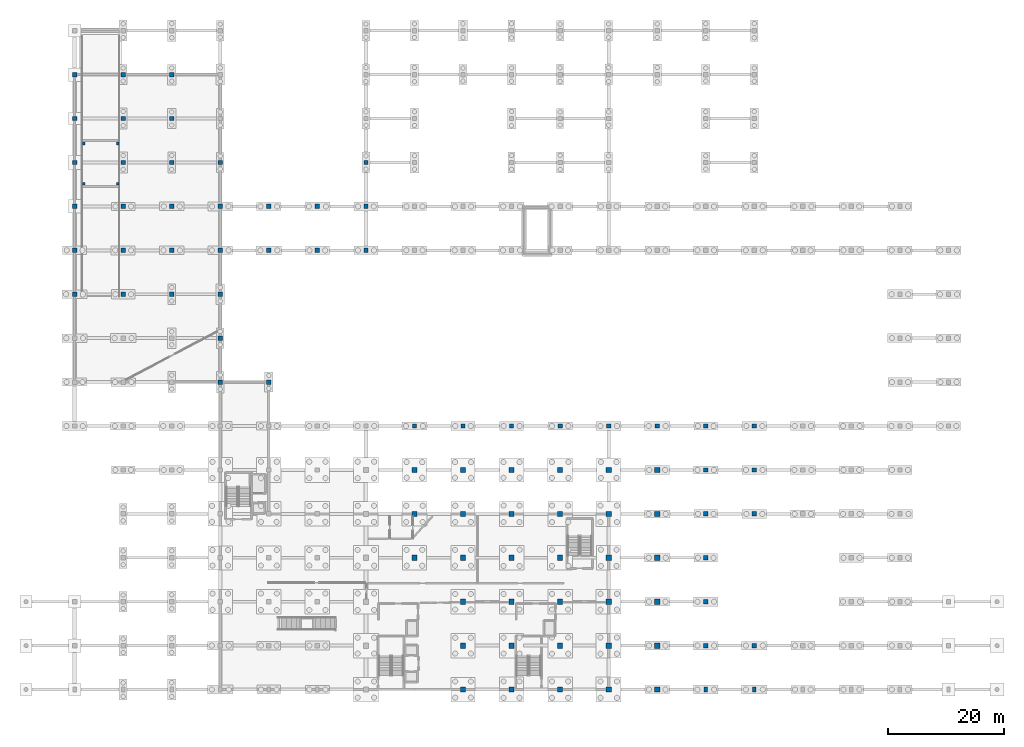
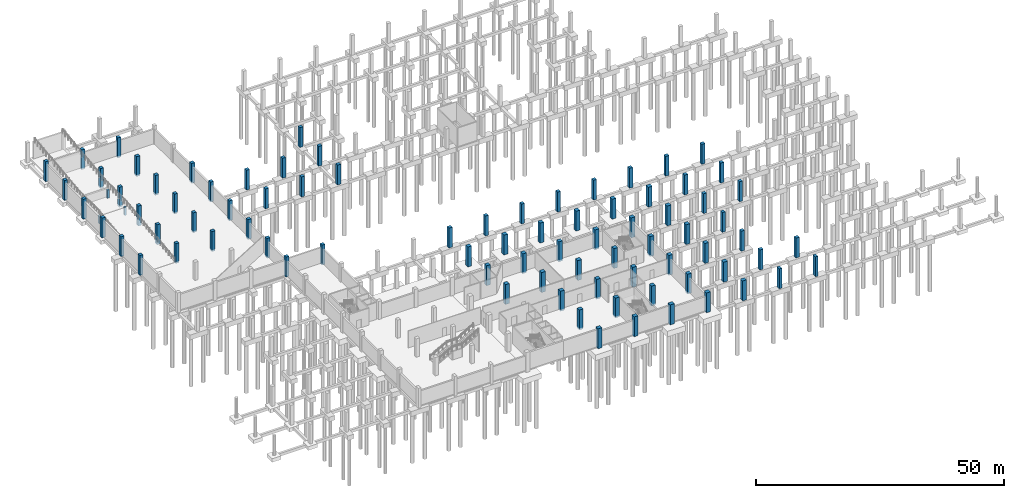
# One storey, part 10 of 22: 87 columns.
"""IFC4 building model written with IfcOpenShell, lengths in metres."""

from ifc_helpers import new_model, si_unit, direction, frame, origin, origin_2d, place, context, subcontext, project, spatial, rectangle, extrude, material, material_profile, profile_set, type_object, element, save


model = new_model("IFC4")

# Units and contexts
model_context = context("Model", 3, precision=1e-05, world=origin(), true_north=direction((0.0, 1.0)))
body_context = subcontext(model_context, "Body", "Model", "MODEL_VIEW")
ifc_project = project(units=[si_unit("LENGTHUNIT", "METRE"), si_unit("AREAUNIT", "SQUARE_METRE"), si_unit("VOLUMEUNIT", "CUBIC_METRE"), si_unit("PLANEANGLEUNIT", "RADIAN"), si_unit("MASSUNIT", "GRAM", prefix="KILO")], contexts=[model_context])

# Site, building, storey
site_placement = place(None, origin())
site = spatial("IfcSite", under=ifc_project, at=site_placement, CompositionType="ELEMENT")
building_placement = place(site_placement, origin())
building = spatial("IfcBuilding", under=site, at=building_placement, Name="Zuvorla Pavilion Media Centre", CompositionType="ELEMENT")
storey_placement = place(building_placement, frame((0.0, 0.0, -4.5)))
storey = spatial("IfcBuildingStorey", under=building, at=storey_placement, Name="B01", CompositionType="ELEMENT", Elevation=-4.5)

# Columns
ifc_material = material(Name="Concrete C40/50", Category="concrete")
ifc_material_profile_1 = material_profile(ifc_material, rectangle(XDim=0.60009765625, YDim=0.89990234375, at=origin_2d()), Name="RC 600x900")
ifc_profile_set_1 = profile_set([ifc_material_profile_1], Name="Concrete C40/50")
column_type_1 = type_object("IfcColumnType", Name="COL-PIL600", PredefinedType="PILASTER", material=ifc_profile_set_1)
for number, where, z_axis, x_axis, name in (
    (1, (125.60009765625, 6.0, -0.39990234375), (0.0, 0.0, 1.0), (1.0, 0.0, 0.0), "B01 column C07 70"),
    (2, (134.0, 6.0, -0.39990234375), (0.0, 0.0, 1.0), (1.0, 0.0, 0.0), "B01 column C07 75"),
):
    element("IfcColumn", number, at=place(storey_placement, frame(where, z_axis=z_axis, x_axis=x_axis)), inside=storey, type_object=column_type_1, Name=name, PredefinedType="PILASTER", context=body_context, shape_type="SweptSolid", body=[
        extrude(rectangle(XDim=0.60009765625, YDim=0.89990234375, at=origin_2d()), origin(), (0.0, 0.0, 1.0), 4.89990234375),
    ])
ifc_material_profile_2 = material_profile(ifc_material, rectangle(XDim=0.449951171875, YDim=0.449951171875, at=origin_2d()), Name="RC 450x450")
ifc_profile_set_2 = profile_set([ifc_material_profile_2], Name="Concrete C40/50")
column_type_2 = type_object("IfcColumnType", Name="COL-RC450", PredefinedType="COLUMN", material=ifc_profile_set_2)
for number, where, z_axis, x_axis, name in (
    (3, (17.949951171875, 93.52490234375, 0.0), (0.0, 0.0, 1.0), (1.0, 0.0, 0.0), "Ramp mid-landing column"),
    (4, (17.949951171875, 100.47509765625, 0.0), (0.0, 0.0, 1.0), (1.0, 0.0, 0.0), "Ramp mid-landing column"),
    (5, (23.85009765625, 93.52490234375, 0.0), (0.0, 0.0, 1.0), (1.0, 0.0, 0.0), "Ramp mid-landing column"),
    (6, (23.85009765625, 100.47509765625, 0.0), (0.0, 0.0, 1.0), (1.0, 0.0, 0.0), "Ramp mid-landing column"),
):
    element("IfcColumn", number, at=place(storey_placement, frame(where, z_axis=z_axis, x_axis=x_axis)), inside=storey, type_object=column_type_2, Name=name, PredefinedType="COLUMN", context=body_context, shape_type="SweptSolid", body=[
        extrude(rectangle(XDim=0.449951171875, YDim=0.449951171875, at=origin_2d()), origin(), (0.0, 0.0, 1.0), 1.985107421875),
    ])
ifc_material_profile_3 = material_profile(ifc_material, rectangle(XDim=0.75, YDim=0.75, at=origin_2d()), Name="RC 750x750")
ifc_profile_set_3 = profile_set([ifc_material_profile_3], Name="Concrete C40/50")
column_type_3 = type_object("IfcColumnType", Name="COL-RC750", PredefinedType="COLUMN", material=ifc_profile_set_3)
for number, where, z_axis, x_axis, name in (
    (7, (125.60009765625, 13.60009765625, -0.39990234375), (0.0, 0.0, 1.0), (1.0, 0.0, 0.0), "B01 column C02 168"),
    (8, (134.0, 13.60009765625, -0.39990234375), (0.0, 0.0, 1.0), (1.0, 0.0, 0.0), "B01 column C02 173"),
    (9, (125.60009765625, 21.199951171875, -0.39990234375), (0.0, 0.0, 1.0), (1.0, 0.0, 0.0), "B01 column C02 269"),
    (10, (125.60009765625, 28.800048828125, -0.39990234375), (0.0, 0.0, 1.0), (1.0, 0.0, 0.0), "B01 column C02 364"),
    (11, (125.60009765625, 36.39990234375, -0.39990234375), (0.0, 0.0, 1.0), (1.0, 0.0, 0.0), "B01 column C02 454"),
    (12, (134.0, 36.39990234375, -0.39990234375), (0.0, 0.0, 1.0), (1.0, 0.0, 0.0), "B01 column C02 459"),
    (13, (125.60009765625, 44.0, -0.39990234375), (0.0, 0.0, 1.0), (1.0, 0.0, 0.0), "B01 column C02 548"),
    (14, (134.0, 44.0, -0.39990234375), (0.0, 0.0, 1.0), (1.0, 0.0, 0.0), "B01 column C02 553"),
    (15, (75.199951171875, 51.60009765625, -0.39990234375), (0.0, 0.0, 1.0), (1.0, 0.0, 0.0), "B01 column C02 608"),
    (16, (83.60009765625, 51.60009765625, -0.39990234375), (0.0, 0.0, 1.0), (1.0, 0.0, 0.0), "B01 column C02 613"),
    (17, (92.0, 51.60009765625, -0.39990234375), (0.0, 0.0, 1.0), (1.0, 0.0, 0.0), "B01 column C02 618"),
    (18, (100.39990234375, 51.60009765625, -0.39990234375), (0.0, 0.0, 1.0), (1.0, 0.0, 0.0), "B01 column C02 623"),
    (19, (108.800048828125, 51.60009765625, -0.39990234375), (0.0, 0.0, 1.0), (1.0, 0.0, 0.0), "B01 column C02 628"),
    (20, (117.199951171875, 51.60009765625, -0.39990234375), (0.0, 0.0, 1.0), (1.0, 0.0, 0.0), "B01 column C02 633"),
    (21, (125.60009765625, 51.60009765625, -0.39990234375), (0.0, 0.0, 1.0), (1.0, 0.0, 0.0), "B01 column C02 638"),
    (22, (134.0, 51.60009765625, -0.39990234375), (0.0, 0.0, 1.0), (1.0, 0.0, 0.0), "B01 column C02 643"),
    (23, (41.60009765625, 59.199951171875, -0.39990234375), (0.0, 0.0, 1.0), (1.0, 0.0, 0.0), "B01 column C02 680"),
    (24, (50.0, 59.199951171875, -0.39990234375), (0.0, 0.0, 1.0), (1.0, 0.0, 0.0), "B01 column C02 682"),
    (25, (41.60009765625, 66.800048828125, -0.39990234375), (0.0, 0.0, 1.0), (1.0, 0.0, 0.0), "B01 column C02 706"),
    (26, (16.39990234375, 74.39990234375, -0.39990234375), (0.0, 0.0, 1.0), (1.0, 0.0, 0.0), "B01 column C02 718"),
    (27, (24.800048828125, 74.39990234375, -0.39990234375), (0.0, 0.0, 1.0), (1.0, 0.0, 0.0), "B01 column C02 723"),
    (28, (33.199951171875, 74.39990234375, -0.39990234375), (0.0, 0.0, 1.0), (1.0, 0.0, 0.0), "B01 column C02 728"),
    (29, (41.60009765625, 74.39990234375, -0.39990234375), (0.0, 0.0, 1.0), (1.0, 0.0, 0.0), "B01 column C02 730"),
    (30, (16.39990234375, 82.0, -0.39990234375), (0.0, 0.0, 1.0), (1.0, 0.0, 0.0), "B01 column C02 742"),
    (31, (24.800048828125, 82.0, -0.39990234375), (0.0, 0.0, 1.0), (1.0, 0.0, 0.0), "B01 column C02 747"),
    (32, (33.199951171875, 82.0, -0.39990234375), (0.0, 0.0, 1.0), (1.0, 0.0, 0.0), "B01 column C02 752"),
    (33, (41.60009765625, 82.0, -0.39990234375), (0.0, 0.0, 1.0), (1.0, 0.0, 0.0), "B01 column C02 757"),
    (34, (50.0, 82.0, -0.39990234375), (0.0, 0.0, 1.0), (1.0, 0.0, 0.0), "B01 column C02 762"),
    (35, (58.39990234375, 82.0, -0.39990234375), (0.0, 0.0, 1.0), (1.0, 0.0, 0.0), "B01 column C02 767"),
    (36, (66.800048828125, 82.0, -0.39990234375), (0.0, 0.0, 1.0), (1.0, 0.0, 0.0), "B01 column C02 772"),
    (37, (16.39990234375, 89.60009765625, -0.39990234375), (0.0, 0.0, 1.0), (1.0, 0.0, 0.0), "B01 column C02 837"),
    (38, (24.800048828125, 89.60009765625, -0.39990234375), (0.0, 0.0, 1.0), (1.0, 0.0, 0.0), "B01 column C02 839"),
    (39, (33.199951171875, 89.60009765625, -0.39990234375), (0.0, 0.0, 1.0), (1.0, 0.0, 0.0), "B01 column C02 844"),
    (40, (41.60009765625, 89.60009765625, -0.39990234375), (0.0, 0.0, 1.0), (1.0, 0.0, 0.0), "B01 column C02 849"),
    (41, (50.0, 89.60009765625, -0.39990234375), (0.0, 0.0, 1.0), (1.0, 0.0, 0.0), "B01 column C02 854"),
    (42, (58.39990234375, 89.60009765625, -0.39990234375), (0.0, 0.0, 1.0), (1.0, 0.0, 0.0), "B01 column C02 859"),
    (43, (66.800048828125, 89.60009765625, -0.39990234375), (0.0, 0.0, 1.0), (1.0, 0.0, 0.0), "B01 column C02 864"),
    (44, (16.39990234375, 97.199951171875, -0.39990234375), (0.0, 0.0, 1.0), (1.0, 0.0, 0.0), "B01 column C02 924"),
    (45, (24.800048828125, 97.199951171875, -0.39990234375), (0.0, 0.0, 1.0), (1.0, 0.0, 0.0), "B01 column C02 926"),
    (46, (33.199951171875, 97.199951171875, -0.39990234375), (0.0, 0.0, 1.0), (1.0, 0.0, 0.0), "B01 column C02 928"),
    (47, (41.60009765625, 97.199951171875, -0.39990234375), (0.0, 0.0, 1.0), (1.0, 0.0, 0.0), "B01 column C02 930"),
    (48, (66.800048828125, 97.199951171875, -0.39990234375), (0.0, 0.0, 1.0), (1.0, 0.0, 0.0), "B01 column C02 932"),
    (49, (16.39990234375, 104.800048828125, -0.39990234375), (0.0, 0.0, 1.0), (1.0, 0.0, 0.0), "B01 column C02 953"),
    (50, (24.800048828125, 104.800048828125, -0.39990234375), (0.0, 0.0, 1.0), (1.0, 0.0, 0.0), "B01 column C02 955"),
    (51, (33.199951171875, 104.800048828125, -0.39990234375), (0.0, 0.0, 1.0), (1.0, 0.0, 0.0), "B01 column C02 957"),
    (52, (16.39990234375, 112.39990234375, -0.39990234375), (0.0, 0.0, 1.0), (1.0, 0.0, 0.0), "B01 column C02 982"),
    (53, (24.800048828125, 112.39990234375, -0.39990234375), (0.0, 0.0, 1.0), (1.0, 0.0, 0.0), "B01 column C02 984"),
    (54, (33.199951171875, 112.39990234375, -0.39990234375), (0.0, 0.0, 1.0), (1.0, 0.0, 0.0), "B01 column C02 986"),
):
    element("IfcColumn", number, at=place(storey_placement, frame(where, z_axis=z_axis, x_axis=x_axis)), inside=storey, type_object=column_type_3, Name=name, PredefinedType="COLUMN", context=body_context, shape_type="SweptSolid", body=[
        extrude(rectangle(XDim=0.75, YDim=0.75, at=origin_2d()), origin(), (0.0, 0.0, 1.0), 4.89990234375),
    ])
ifc_material_profile_4 = material_profile(ifc_material, rectangle(XDim=0.89990234375, YDim=0.89990234375, at=origin_2d()), Name="RC 900x900")
ifc_profile_set_4 = profile_set([ifc_material_profile_4], Name="Concrete C40/50")
column_type_4 = type_object("IfcColumnType", Name="COL-RC900", PredefinedType="COLUMN", material=ifc_profile_set_4)
for number, where, z_axis, x_axis, name in (
    (55, (83.60009765625, 6.0, -0.39990234375), (0.0, 0.0, 1.0), (1.0, 0.0, 0.0), "B01 column C01 33"),
    (56, (92.0, 6.0, -0.39990234375), (0.0, 0.0, 1.0), (1.0, 0.0, 0.0), "B01 column C01 41"),
    (57, (100.39990234375, 6.0, -0.39990234375), (0.0, 0.0, 1.0), (1.0, 0.0, 0.0), "B01 column C01 49"),
    (58, (108.800048828125, 6.0, -0.39990234375), (0.0, 0.0, 1.0), (1.0, 0.0, 0.0), "B01 column C01 57"),
    (59, (117.199951171875, 6.0, -0.39990234375), (0.0, 0.0, 1.0), (1.0, 0.0, 0.0), "B01 column C01 65"),
    (60, (83.60009765625, 13.60009765625, -0.39990234375), (0.0, 0.0, 1.0), (1.0, 0.0, 0.0), "B01 column C01 131"),
    (61, (92.0, 13.60009765625, -0.39990234375), (0.0, 0.0, 1.0), (1.0, 0.0, 0.0), "B01 column C01 139"),
    (62, (100.39990234375, 13.60009765625, -0.39990234375), (0.0, 0.0, 1.0), (1.0, 0.0, 0.0), "B01 column C01 147"),
    (63, (108.800048828125, 13.60009765625, -0.39990234375), (0.0, 0.0, 1.0), (1.0, 0.0, 0.0), "B01 column C01 155"),
    (64, (117.199951171875, 13.60009765625, -0.39990234375), (0.0, 0.0, 1.0), (1.0, 0.0, 0.0), "B01 column C01 163"),
    (65, (83.60009765625, 21.199951171875, -0.39990234375), (0.0, 0.0, 1.0), (1.0, 0.0, 0.0), "B01 column C01 232"),
    (66, (92.0, 21.199951171875, -0.39990234375), (0.0, 0.0, 1.0), (1.0, 0.0, 0.0), "B01 column C01 240"),
    (67, (100.39990234375, 21.199951171875, -0.39990234375), (0.0, 0.0, 1.0), (1.0, 0.0, 0.0), "B01 column C01 248"),
    (68, (108.800048828125, 21.199951171875, -0.39990234375), (0.0, 0.0, 1.0), (1.0, 0.0, 0.0), "B01 column C01 256"),
    (69, (117.199951171875, 21.199951171875, -0.39990234375), (0.0, 0.0, 1.0), (1.0, 0.0, 0.0), "B01 column C01 264"),
    (70, (75.199951171875, 28.800048828125, -0.39990234375), (0.0, 0.0, 1.0), (1.0, 0.0, 0.0), "B01 column C01 319"),
    (71, (83.60009765625, 28.800048828125, -0.39990234375), (0.0, 0.0, 1.0), (1.0, 0.0, 0.0), "B01 column C01 327"),
    (72, (92.0, 28.800048828125, -0.39990234375), (0.0, 0.0, 1.0), (1.0, 0.0, 0.0), "B01 column C01 335"),
    (73, (100.39990234375, 28.800048828125, -0.39990234375), (0.0, 0.0, 1.0), (1.0, 0.0, 0.0), "B01 column C01 343"),
    (74, (108.800048828125, 28.800048828125, -0.39990234375), (0.0, 0.0, 1.0), (1.0, 0.0, 0.0), "B01 column C01 351"),
    (75, (117.199951171875, 28.800048828125, -0.39990234375), (0.0, 0.0, 1.0), (1.0, 0.0, 0.0), "B01 column C01 359"),
    (76, (75.199951171875, 36.39990234375, -0.39990234375), (0.0, 0.0, 1.0), (1.0, 0.0, 0.0), "B01 column C01 409"),
    (77, (83.60009765625, 36.39990234375, -0.39990234375), (0.0, 0.0, 1.0), (1.0, 0.0, 0.0), "B01 column C01 417"),
    (78, (92.0, 36.39990234375, -0.39990234375), (0.0, 0.0, 1.0), (1.0, 0.0, 0.0), "B01 column C01 425"),
    (79, (100.39990234375, 36.39990234375, -0.39990234375), (0.0, 0.0, 1.0), (1.0, 0.0, 0.0), "B01 column C01 433"),
    (80, (108.800048828125, 36.39990234375, -0.39990234375), (0.0, 0.0, 1.0), (1.0, 0.0, 0.0), "B01 column C01 441"),
    (81, (117.199951171875, 36.39990234375, -0.39990234375), (0.0, 0.0, 1.0), (1.0, 0.0, 0.0), "B01 column C01 449"),
    (82, (75.199951171875, 44.0, -0.39990234375), (0.0, 0.0, 1.0), (1.0, 0.0, 0.0), "B01 column C01 513"),
    (83, (83.60009765625, 44.0, -0.39990234375), (0.0, 0.0, 1.0), (1.0, 0.0, 0.0), "B01 column C01 519"),
    (84, (92.0, 44.0, -0.39990234375), (0.0, 0.0, 1.0), (1.0, 0.0, 0.0), "B01 column C01 525"),
    (85, (100.39990234375, 44.0, -0.39990234375), (0.0, 0.0, 1.0), (1.0, 0.0, 0.0), "B01 column C01 531"),
    (86, (108.800048828125, 44.0, -0.39990234375), (0.0, 0.0, 1.0), (1.0, 0.0, 0.0), "B01 column C01 537"),
    (87, (117.199951171875, 44.0, -0.39990234375), (0.0, 0.0, 1.0), (1.0, 0.0, 0.0), "B01 column C01 543"),
):
    element("IfcColumn", number, at=place(storey_placement, frame(where, z_axis=z_axis, x_axis=x_axis)), inside=storey, type_object=column_type_4, Name=name, PredefinedType="COLUMN", context=body_context, shape_type="SweptSolid", body=[
        extrude(rectangle(XDim=0.89990234375, YDim=0.89990234375, at=origin_2d()), origin(), (0.0, 0.0, 1.0), 4.89990234375),
    ])

save(model, "model.ifc")
